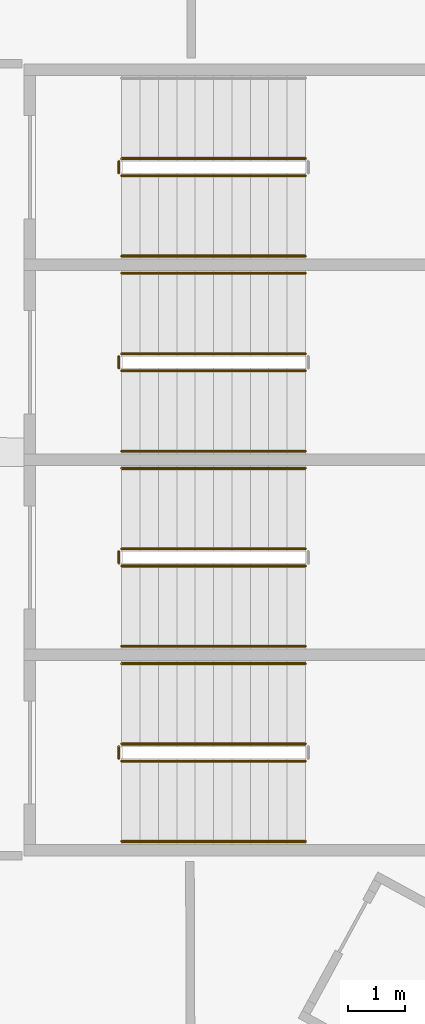
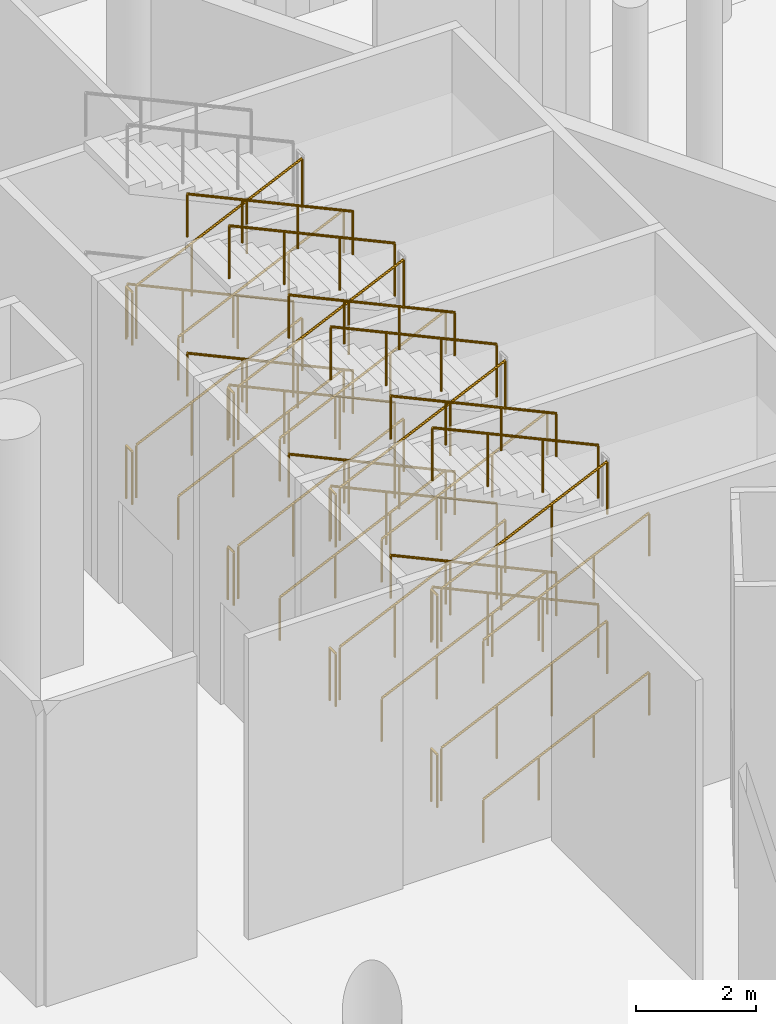
# One storey, part 220 of 255: 37 railings.
"""IFC4 building model written with IfcOpenShell, lengths in metres."""

from ifc_helpers import new_model, si_unit, direction, frame, origin, origin_2d, place, context, subcontext, project, spatial, circle, extrude, material, type_object, element, save


model = new_model("IFC4")

# Units and contexts
model_context = context("Model", 3, precision=1e-05, world=origin(), true_north=direction((0.0, 1.0)))
body_context = subcontext(model_context, "Body", "Model", "MODEL_VIEW")
ifc_project = project(units=[si_unit("LENGTHUNIT", "METRE"), si_unit("AREAUNIT", "SQUARE_METRE"), si_unit("VOLUMEUNIT", "CUBIC_METRE"), si_unit("PLANEANGLEUNIT", "RADIAN"), si_unit("MASSUNIT", "GRAM", prefix="KILO")], contexts=[model_context])

# Site, building, storey
site_placement = place(None, origin())
site = spatial("IfcSite", under=ifc_project, at=site_placement, CompositionType="ELEMENT")
building_placement = place(site_placement, origin())
building = spatial("IfcBuilding", under=site, at=building_placement, Name="Meseta Stadium", CompositionType="ELEMENT")
storey_placement = place(building_placement, origin())
storey = spatial("IfcBuildingStorey", under=building, at=storey_placement, Name="L00", CompositionType="ELEMENT", Elevation=0.0)

# Railings
ifc_material_1 = material(Name="Steel S355", Category="steel")
railing_type_1 = type_object("IfcRailingType", Name="Stair guard 1100", PredefinedType="GUARDRAIL", material=ifc_material_1)
railing_1_placement = place(storey_placement, frame((90.300048828125, -11.5, 0.147705078125)))
element("IfcRailing", 1, at=railing_1_placement, inside=storey, type_object=railing_type_1, Name="ST9 L00 guard 1", PredefinedType="GUARDRAIL", context=body_context, shape_type="SweptSolid", body=[
    extrude(circle(Radius=0.02392578125, at=origin_2d()), frame((0.0, 0.0, 1.076171875), z_axis=(0.907916804346, 0.0, 0.419150422148), x_axis=(0.0, 1.0, 0.0)), (0.0, 0.0, 1.0), 3.5244140625),
    extrude(circle(Radius=0.02099609375, at=origin_2d()), origin(), (0.0, 0.0, 1.0), 1.052001953125),
    extrude(circle(Radius=0.02099609375, at=origin_2d()), frame((1.066650390625, 0.0, 0.492431640625)), (0.0, 0.0, 1.0), 1.052001953125),
    extrude(circle(Radius=0.02099609375, at=origin_2d()), frame((2.13330078125, 0.0, 0.98486328125)), (0.0, 0.0, 1.0), 1.052001953125),
    extrude(circle(Radius=0.02099609375, at=origin_2d()), frame((3.199951171875, 0.0, 1.477294921875)), (0.0, 0.0, 1.0), 1.052001953125),
])
railing_2_placement = place(storey_placement, frame((93.5, -11.199951171875, 1.772705078125)))
element("IfcRailing", 2, at=railing_2_placement, inside=storey, type_object=railing_type_1, Name="ST9 L00 guard 3", PredefinedType="GUARDRAIL", context=body_context, shape_type="SweptSolid", body=[
    extrude(circle(Radius=0.02392578125, at=origin_2d()), frame((0.0, 0.0, 1.076171875), z_axis=(-0.907916804346, 0.0, 0.419150422148), x_axis=(0.0, -1.0, 0.0)), (0.0, 0.0, 1.0), 3.5244140625),
    extrude(circle(Radius=0.02099609375, at=origin_2d()), origin(), (0.0, 0.0, 1.0), 1.052001953125),
    extrude(circle(Radius=0.02099609375, at=origin_2d()), frame((-1.066650390625, 0.0, 0.492431640625)), (0.0, 0.0, 1.0), 1.052001953125),
    extrude(circle(Radius=0.02099609375, at=origin_2d()), frame((-2.13330078125, 0.0, 0.98486328125)), (0.0, 0.0, 1.0), 1.052001953125),
    extrude(circle(Radius=0.02099609375, at=origin_2d()), frame((-3.199951171875, 0.0, 1.477294921875)), (0.0, 0.0, 1.0), 1.052001953125),
])
railing_3_placement = place(storey_placement, frame((90.25, -11.449951171875, 3.25)))
element("IfcRailing", 3, at=railing_3_placement, inside=storey, type_object=railing_type_1, Name="ST9 L00 guard 4", PredefinedType="GUARDRAIL", context=body_context, shape_type="SweptSolid", body=[
    extrude(circle(Radius=0.02392578125, at=origin_2d()), frame((0.0, 0.0, 1.076171875), z_axis=(0.0, 1.0, 0.0), x_axis=(-1.0, 0.0, 0.0)), (0.0, 0.0, 1.0), 0.199951171875),
    extrude(circle(Radius=0.02099609375, at=origin_2d()), origin(), (0.0, 0.0, 1.0), 1.052001953125),
    extrude(circle(Radius=0.02099609375, at=origin_2d()), frame((0.0, 0.199951171875, 0.0)), (0.0, 0.0, 1.0), 1.052001953125),
])
railing_4_placement = place(storey_placement, frame((90.300048828125, -11.5, 3.397705078125)))
element("IfcRailing", 4, at=railing_4_placement, inside=storey, type_object=railing_type_1, Name="ST9 L00 guard 5", PredefinedType="GUARDRAIL", context=body_context, shape_type="SweptSolid", body=[
    extrude(circle(Radius=0.02392578125, at=origin_2d()), frame((0.0, 0.0, 1.076171875), z_axis=(0.907916804346, 0.0, 0.419150422148), x_axis=(0.0, 1.0, 0.0)), (0.0, 0.0, 1.0), 3.5244140625),
    extrude(circle(Radius=0.02099609375, at=origin_2d()), origin(), (0.0, 0.0, 1.0), 1.052001953125),
    extrude(circle(Radius=0.02099609375, at=origin_2d()), frame((1.066650390625, 0.0, 0.492431640625)), (0.0, 0.0, 1.0), 1.052001953125),
    extrude(circle(Radius=0.02099609375, at=origin_2d()), frame((2.13330078125, 0.0, 0.98486328125)), (0.0, 0.0, 1.0), 1.052001953125),
    extrude(circle(Radius=0.02099609375, at=origin_2d()), frame((3.199951171875, 0.0, 1.477294921875)), (0.0, 0.0, 1.0), 1.052001953125),
])
railing_5_placement = place(storey_placement, frame((93.5, -11.199951171875, 5.022705078125)))
element("IfcRailing", 5, at=railing_5_placement, inside=storey, type_object=railing_type_1, Name="ST9 L00 guard 7", PredefinedType="GUARDRAIL", context=body_context, shape_type="SweptSolid", body=[
    extrude(circle(Radius=0.02392578125, at=origin_2d()), frame((0.0, 0.0, 1.076171875), z_axis=(-0.907916804346, 0.0, 0.419150422148), x_axis=(0.0, -1.0, 0.0)), (0.0, 0.0, 1.0), 3.5244140625),
    extrude(circle(Radius=0.02099609375, at=origin_2d()), origin(), (0.0, 0.0, 1.0), 1.052001953125),
    extrude(circle(Radius=0.02099609375, at=origin_2d()), frame((-1.066650390625, 0.0, 0.492431640625)), (0.0, 0.0, 1.0), 1.052001953125),
    extrude(circle(Radius=0.02099609375, at=origin_2d()), frame((-2.13330078125, 0.0, 0.98486328125)), (0.0, 0.0, 1.0), 1.052001953125),
    extrude(circle(Radius=0.02099609375, at=origin_2d()), frame((-3.199951171875, 0.0, 1.477294921875)), (0.0, 0.0, 1.0), 1.052001953125),
])
railing_6_placement = place(storey_placement, frame((90.25, -11.449951171875, 0.0)))
element("IfcRailing", 6, at=railing_6_placement, inside=storey, type_object=railing_type_1, Name="ST9 L00 guard 8", PredefinedType="GUARDRAIL", context=body_context, shape_type="SweptSolid", body=[
    extrude(circle(Radius=0.02392578125, at=origin_2d()), frame((0.0, 0.0, 1.076171875), z_axis=(0.0, 1.0, 0.0), x_axis=(-1.0, 0.0, 0.0)), (0.0, 0.0, 1.0), 0.199951171875),
    extrude(circle(Radius=0.02099609375, at=origin_2d()), origin(), (0.0, 0.0, 1.0), 1.052001953125),
    extrude(circle(Radius=0.02099609375, at=origin_2d()), frame((0.0, 0.199951171875, 0.0)), (0.0, 0.0, 1.0), 1.052001953125),
])
railing_7_placement = place(storey_placement, frame((90.300048828125, -8.10009765625, 0.147705078125)))
element("IfcRailing", 7, at=railing_7_placement, inside=storey, type_object=railing_type_1, Name="ST10 L00 guard 1", PredefinedType="GUARDRAIL", context=body_context, shape_type="SweptSolid", body=[
    extrude(circle(Radius=0.02392578125, at=origin_2d()), frame((0.0, 0.0, 1.076171875), z_axis=(0.907916804346, 0.0, 0.419150422148), x_axis=(0.0, 1.0, 0.0)), (0.0, 0.0, 1.0), 3.5244140625),
    extrude(circle(Radius=0.02099609375, at=origin_2d()), origin(), (0.0, 0.0, 1.0), 1.052001953125),
    extrude(circle(Radius=0.02099609375, at=origin_2d()), frame((1.066650390625, 0.0, 0.492431640625)), (0.0, 0.0, 1.0), 1.052001953125),
    extrude(circle(Radius=0.02099609375, at=origin_2d()), frame((2.13330078125, 0.0, 0.98486328125)), (0.0, 0.0, 1.0), 1.052001953125),
    extrude(circle(Radius=0.02099609375, at=origin_2d()), frame((3.199951171875, 0.0, 1.477294921875)), (0.0, 0.0, 1.0), 1.052001953125),
])
railing_8_placement = place(storey_placement, frame((93.5, -7.800048828125, 1.772705078125)))
element("IfcRailing", 8, at=railing_8_placement, inside=storey, type_object=railing_type_1, Name="ST10 L00 guard 3", PredefinedType="GUARDRAIL", context=body_context, shape_type="SweptSolid", body=[
    extrude(circle(Radius=0.02392578125, at=origin_2d()), frame((0.0, 0.0, 1.076171875), z_axis=(-0.907916804346, 0.0, 0.419150422148), x_axis=(0.0, -1.0, 0.0)), (0.0, 0.0, 1.0), 3.5244140625),
    extrude(circle(Radius=0.02099609375, at=origin_2d()), origin(), (0.0, 0.0, 1.0), 1.052001953125),
    extrude(circle(Radius=0.02099609375, at=origin_2d()), frame((-1.066650390625, 0.0, 0.492431640625)), (0.0, 0.0, 1.0), 1.052001953125),
    extrude(circle(Radius=0.02099609375, at=origin_2d()), frame((-2.13330078125, 0.0, 0.98486328125)), (0.0, 0.0, 1.0), 1.052001953125),
    extrude(circle(Radius=0.02099609375, at=origin_2d()), frame((-3.199951171875, 0.0, 1.477294921875)), (0.0, 0.0, 1.0), 1.052001953125),
])
railing_9_placement = place(storey_placement, frame((90.25, -8.050048828125, 3.25)))
element("IfcRailing", 9, at=railing_9_placement, inside=storey, type_object=railing_type_1, Name="ST10 L00 guard 4", PredefinedType="GUARDRAIL", context=body_context, shape_type="SweptSolid", body=[
    extrude(circle(Radius=0.02392578125, at=origin_2d()), frame((0.0, 0.0, 1.076171875), z_axis=(0.0, 1.0, 0.0), x_axis=(-1.0, 0.0, 0.0)), (0.0, 0.0, 1.0), 0.199951171875),
    extrude(circle(Radius=0.02099609375, at=origin_2d()), origin(), (0.0, 0.0, 1.0), 1.052001953125),
    extrude(circle(Radius=0.02099609375, at=origin_2d()), frame((0.0, 0.199951171875, 0.0)), (0.0, 0.0, 1.0), 1.052001953125),
])
railing_10_placement = place(storey_placement, frame((90.300048828125, -8.10009765625, 3.397705078125)))
element("IfcRailing", 10, at=railing_10_placement, inside=storey, type_object=railing_type_1, Name="ST10 L00 guard 5", PredefinedType="GUARDRAIL", context=body_context, shape_type="SweptSolid", body=[
    extrude(circle(Radius=0.02392578125, at=origin_2d()), frame((0.0, 0.0, 1.076171875), z_axis=(0.907916804346, 0.0, 0.419150422148), x_axis=(0.0, 1.0, 0.0)), (0.0, 0.0, 1.0), 3.5244140625),
    extrude(circle(Radius=0.02099609375, at=origin_2d()), origin(), (0.0, 0.0, 1.0), 1.052001953125),
    extrude(circle(Radius=0.02099609375, at=origin_2d()), frame((1.066650390625, 0.0, 0.492431640625)), (0.0, 0.0, 1.0), 1.052001953125),
    extrude(circle(Radius=0.02099609375, at=origin_2d()), frame((2.13330078125, 0.0, 0.98486328125)), (0.0, 0.0, 1.0), 1.052001953125),
    extrude(circle(Radius=0.02099609375, at=origin_2d()), frame((3.199951171875, 0.0, 1.477294921875)), (0.0, 0.0, 1.0), 1.052001953125),
])
railing_11_placement = place(storey_placement, frame((93.5, -7.800048828125, 5.022705078125)))
element("IfcRailing", 11, at=railing_11_placement, inside=storey, type_object=railing_type_1, Name="ST10 L00 guard 7", PredefinedType="GUARDRAIL", context=body_context, shape_type="SweptSolid", body=[
    extrude(circle(Radius=0.02392578125, at=origin_2d()), frame((0.0, 0.0, 1.076171875), z_axis=(-0.907916804346, 0.0, 0.419150422148), x_axis=(0.0, -1.0, 0.0)), (0.0, 0.0, 1.0), 3.5244140625),
    extrude(circle(Radius=0.02099609375, at=origin_2d()), origin(), (0.0, 0.0, 1.0), 1.052001953125),
    extrude(circle(Radius=0.02099609375, at=origin_2d()), frame((-1.066650390625, 0.0, 0.492431640625)), (0.0, 0.0, 1.0), 1.052001953125),
    extrude(circle(Radius=0.02099609375, at=origin_2d()), frame((-2.13330078125, 0.0, 0.98486328125)), (0.0, 0.0, 1.0), 1.052001953125),
    extrude(circle(Radius=0.02099609375, at=origin_2d()), frame((-3.199951171875, 0.0, 1.477294921875)), (0.0, 0.0, 1.0), 1.052001953125),
])
railing_12_placement = place(storey_placement, frame((90.25, -8.050048828125, 0.0)))
element("IfcRailing", 12, at=railing_12_placement, inside=storey, type_object=railing_type_1, Name="ST10 L00 guard 8", PredefinedType="GUARDRAIL", context=body_context, shape_type="SweptSolid", body=[
    extrude(circle(Radius=0.02392578125, at=origin_2d()), frame((0.0, 0.0, 1.076171875), z_axis=(0.0, 1.0, 0.0), x_axis=(-1.0, 0.0, 0.0)), (0.0, 0.0, 1.0), 0.199951171875),
    extrude(circle(Radius=0.02099609375, at=origin_2d()), origin(), (0.0, 0.0, 1.0), 1.052001953125),
    extrude(circle(Radius=0.02099609375, at=origin_2d()), frame((0.0, 0.199951171875, 0.0)), (0.0, 0.0, 1.0), 1.052001953125),
])
railing_13_placement = place(storey_placement, frame((90.300048828125, -4.699951171875, 0.147705078125)))
element("IfcRailing", 13, at=railing_13_placement, inside=storey, type_object=railing_type_1, Name="ST11 L00 guard 1", PredefinedType="GUARDRAIL", context=body_context, shape_type="SweptSolid", body=[
    extrude(circle(Radius=0.02392578125, at=origin_2d()), frame((0.0, 0.0, 1.076171875), z_axis=(0.907916804346, 0.0, 0.419150422148), x_axis=(0.0, 1.0, 0.0)), (0.0, 0.0, 1.0), 3.5244140625),
    extrude(circle(Radius=0.02099609375, at=origin_2d()), origin(), (0.0, 0.0, 1.0), 1.052001953125),
    extrude(circle(Radius=0.02099609375, at=origin_2d()), frame((1.066650390625, 0.0, 0.492431640625)), (0.0, 0.0, 1.0), 1.052001953125),
    extrude(circle(Radius=0.02099609375, at=origin_2d()), frame((2.13330078125, 0.0, 0.98486328125)), (0.0, 0.0, 1.0), 1.052001953125),
    extrude(circle(Radius=0.02099609375, at=origin_2d()), frame((3.199951171875, 0.0, 1.477294921875)), (0.0, 0.0, 1.0), 1.052001953125),
])
railing_14_placement = place(storey_placement, frame((93.5, -4.39990234375, 1.772705078125)))
element("IfcRailing", 14, at=railing_14_placement, inside=storey, type_object=railing_type_1, Name="ST11 L00 guard 3", PredefinedType="GUARDRAIL", context=body_context, shape_type="SweptSolid", body=[
    extrude(circle(Radius=0.02392578125, at=origin_2d()), frame((0.0, 0.0, 1.076171875), z_axis=(-0.907916804346, 0.0, 0.419150422148), x_axis=(0.0, -1.0, 0.0)), (0.0, 0.0, 1.0), 3.5244140625),
    extrude(circle(Radius=0.02099609375, at=origin_2d()), origin(), (0.0, 0.0, 1.0), 1.052001953125),
    extrude(circle(Radius=0.02099609375, at=origin_2d()), frame((-1.066650390625, 0.0, 0.492431640625)), (0.0, 0.0, 1.0), 1.052001953125),
    extrude(circle(Radius=0.02099609375, at=origin_2d()), frame((-2.13330078125, 0.0, 0.98486328125)), (0.0, 0.0, 1.0), 1.052001953125),
    extrude(circle(Radius=0.02099609375, at=origin_2d()), frame((-3.199951171875, 0.0, 1.477294921875)), (0.0, 0.0, 1.0), 1.052001953125),
])
railing_15_placement = place(storey_placement, frame((90.25, -4.64990234375, 3.25)))
element("IfcRailing", 15, at=railing_15_placement, inside=storey, type_object=railing_type_1, Name="ST11 L00 guard 4", PredefinedType="GUARDRAIL", context=body_context, shape_type="SweptSolid", body=[
    extrude(circle(Radius=0.02392578125, at=origin_2d()), frame((0.0, 0.0, 1.076171875), z_axis=(0.0, 1.0, 0.0), x_axis=(-1.0, 0.0, 0.0)), (0.0, 0.0, 1.0), 0.199951171875),
    extrude(circle(Radius=0.02099609375, at=origin_2d()), origin(), (0.0, 0.0, 1.0), 1.052001953125),
    extrude(circle(Radius=0.02099609375, at=origin_2d()), frame((0.0, 0.199951171875, 0.0)), (0.0, 0.0, 1.0), 1.052001953125),
])
railing_16_placement = place(storey_placement, frame((90.300048828125, -4.699951171875, 3.397705078125)))
element("IfcRailing", 16, at=railing_16_placement, inside=storey, type_object=railing_type_1, Name="ST11 L00 guard 5", PredefinedType="GUARDRAIL", context=body_context, shape_type="SweptSolid", body=[
    extrude(circle(Radius=0.02392578125, at=origin_2d()), frame((0.0, 0.0, 1.076171875), z_axis=(0.907916804346, 0.0, 0.419150422148), x_axis=(0.0, 1.0, 0.0)), (0.0, 0.0, 1.0), 3.5244140625),
    extrude(circle(Radius=0.02099609375, at=origin_2d()), origin(), (0.0, 0.0, 1.0), 1.052001953125),
    extrude(circle(Radius=0.02099609375, at=origin_2d()), frame((1.066650390625, 0.0, 0.492431640625)), (0.0, 0.0, 1.0), 1.052001953125),
    extrude(circle(Radius=0.02099609375, at=origin_2d()), frame((2.13330078125, 0.0, 0.98486328125)), (0.0, 0.0, 1.0), 1.052001953125),
    extrude(circle(Radius=0.02099609375, at=origin_2d()), frame((3.199951171875, 0.0, 1.477294921875)), (0.0, 0.0, 1.0), 1.052001953125),
])
railing_17_placement = place(storey_placement, frame((93.5, -4.39990234375, 5.022705078125)))
element("IfcRailing", 17, at=railing_17_placement, inside=storey, type_object=railing_type_1, Name="ST11 L00 guard 7", PredefinedType="GUARDRAIL", context=body_context, shape_type="SweptSolid", body=[
    extrude(circle(Radius=0.02392578125, at=origin_2d()), frame((0.0, 0.0, 1.076171875), z_axis=(-0.907916804346, 0.0, 0.419150422148), x_axis=(0.0, -1.0, 0.0)), (0.0, 0.0, 1.0), 3.5244140625),
    extrude(circle(Radius=0.02099609375, at=origin_2d()), origin(), (0.0, 0.0, 1.0), 1.052001953125),
    extrude(circle(Radius=0.02099609375, at=origin_2d()), frame((-1.066650390625, 0.0, 0.492431640625)), (0.0, 0.0, 1.0), 1.052001953125),
    extrude(circle(Radius=0.02099609375, at=origin_2d()), frame((-2.13330078125, 0.0, 0.98486328125)), (0.0, 0.0, 1.0), 1.052001953125),
    extrude(circle(Radius=0.02099609375, at=origin_2d()), frame((-3.199951171875, 0.0, 1.477294921875)), (0.0, 0.0, 1.0), 1.052001953125),
])
railing_18_placement = place(storey_placement, frame((90.25, -4.64990234375, 0.0)))
element("IfcRailing", 18, at=railing_18_placement, inside=storey, type_object=railing_type_1, Name="ST11 L00 guard 8", PredefinedType="GUARDRAIL", context=body_context, shape_type="SweptSolid", body=[
    extrude(circle(Radius=0.02392578125, at=origin_2d()), frame((0.0, 0.0, 1.076171875), z_axis=(0.0, 1.0, 0.0), x_axis=(-1.0, 0.0, 0.0)), (0.0, 0.0, 1.0), 0.199951171875),
    extrude(circle(Radius=0.02099609375, at=origin_2d()), origin(), (0.0, 0.0, 1.0), 1.052001953125),
    extrude(circle(Radius=0.02099609375, at=origin_2d()), frame((0.0, 0.199951171875, 0.0)), (0.0, 0.0, 1.0), 1.052001953125),
])
railing_19_placement = place(storey_placement, frame((90.300048828125, -1.300048828125, 0.147705078125)))
element("IfcRailing", 19, at=railing_19_placement, inside=storey, type_object=railing_type_1, Name="ST12 L00 guard 1", PredefinedType="GUARDRAIL", context=body_context, shape_type="SweptSolid", body=[
    extrude(circle(Radius=0.02392578125, at=origin_2d()), frame((0.0, 0.0, 1.076171875), z_axis=(0.907916804346, 0.0, 0.419150422148), x_axis=(0.0, 1.0, 0.0)), (0.0, 0.0, 1.0), 3.5244140625),
    extrude(circle(Radius=0.02099609375, at=origin_2d()), origin(), (0.0, 0.0, 1.0), 1.052001953125),
    extrude(circle(Radius=0.02099609375, at=origin_2d()), frame((1.066650390625, 0.0, 0.492431640625)), (0.0, 0.0, 1.0), 1.052001953125),
    extrude(circle(Radius=0.02099609375, at=origin_2d()), frame((2.13330078125, 0.0, 0.98486328125)), (0.0, 0.0, 1.0), 1.052001953125),
    extrude(circle(Radius=0.02099609375, at=origin_2d()), frame((3.199951171875, 0.0, 1.477294921875)), (0.0, 0.0, 1.0), 1.052001953125),
])
railing_20_placement = place(storey_placement, frame((93.5, -1.0, 1.772705078125)))
element("IfcRailing", 20, at=railing_20_placement, inside=storey, type_object=railing_type_1, Name="ST12 L00 guard 3", PredefinedType="GUARDRAIL", context=body_context, shape_type="SweptSolid", body=[
    extrude(circle(Radius=0.02392578125, at=origin_2d()), frame((0.0, 0.0, 1.076171875), z_axis=(-0.907916804346, 0.0, 0.419150422148), x_axis=(0.0, -1.0, 0.0)), (0.0, 0.0, 1.0), 3.5244140625),
    extrude(circle(Radius=0.02099609375, at=origin_2d()), origin(), (0.0, 0.0, 1.0), 1.052001953125),
    extrude(circle(Radius=0.02099609375, at=origin_2d()), frame((-1.066650390625, 0.0, 0.492431640625)), (0.0, 0.0, 1.0), 1.052001953125),
    extrude(circle(Radius=0.02099609375, at=origin_2d()), frame((-2.13330078125, 0.0, 0.98486328125)), (0.0, 0.0, 1.0), 1.052001953125),
    extrude(circle(Radius=0.02099609375, at=origin_2d()), frame((-3.199951171875, 0.0, 1.477294921875)), (0.0, 0.0, 1.0), 1.052001953125),
])
railing_21_placement = place(storey_placement, frame((90.25, -1.25, 3.25)))
element("IfcRailing", 21, at=railing_21_placement, inside=storey, type_object=railing_type_1, Name="ST12 L00 guard 4", PredefinedType="GUARDRAIL", context=body_context, shape_type="SweptSolid", body=[
    extrude(circle(Radius=0.02392578125, at=origin_2d()), frame((0.0, 0.0, 1.076171875), z_axis=(0.0, 1.0, 0.0), x_axis=(-1.0, 0.0, 0.0)), (0.0, 0.0, 1.0), 0.199951171875),
    extrude(circle(Radius=0.02099609375, at=origin_2d()), origin(), (0.0, 0.0, 1.0), 1.052001953125),
    extrude(circle(Radius=0.02099609375, at=origin_2d()), frame((0.0, 0.199951171875, 0.0)), (0.0, 0.0, 1.0), 1.052001953125),
])
railing_22_placement = place(storey_placement, frame((90.300048828125, -1.300048828125, 3.397705078125)))
element("IfcRailing", 22, at=railing_22_placement, inside=storey, type_object=railing_type_1, Name="ST12 L00 guard 5", PredefinedType="GUARDRAIL", context=body_context, shape_type="SweptSolid", body=[
    extrude(circle(Radius=0.02392578125, at=origin_2d()), frame((0.0, 0.0, 1.076171875), z_axis=(0.907916804346, 0.0, 0.419150422148), x_axis=(0.0, 1.0, 0.0)), (0.0, 0.0, 1.0), 3.5244140625),
    extrude(circle(Radius=0.02099609375, at=origin_2d()), origin(), (0.0, 0.0, 1.0), 1.052001953125),
    extrude(circle(Radius=0.02099609375, at=origin_2d()), frame((1.066650390625, 0.0, 0.492431640625)), (0.0, 0.0, 1.0), 1.052001953125),
    extrude(circle(Radius=0.02099609375, at=origin_2d()), frame((2.13330078125, 0.0, 0.98486328125)), (0.0, 0.0, 1.0), 1.052001953125),
    extrude(circle(Radius=0.02099609375, at=origin_2d()), frame((3.199951171875, 0.0, 1.477294921875)), (0.0, 0.0, 1.0), 1.052001953125),
])
railing_23_placement = place(storey_placement, frame((90.25, -1.25, 0.0)))
element("IfcRailing", 23, at=railing_23_placement, inside=storey, type_object=railing_type_1, Name="ST12 L00 guard 8", PredefinedType="GUARDRAIL", context=body_context, shape_type="SweptSolid", body=[
    extrude(circle(Radius=0.02392578125, at=origin_2d()), frame((0.0, 0.0, 1.076171875), z_axis=(0.0, 1.0, 0.0), x_axis=(-1.0, 0.0, 0.0)), (0.0, 0.0, 1.0), 0.199951171875),
    extrude(circle(Radius=0.02099609375, at=origin_2d()), origin(), (0.0, 0.0, 1.0), 1.052001953125),
    extrude(circle(Radius=0.02099609375, at=origin_2d()), frame((0.0, 0.199951171875, 0.0)), (0.0, 0.0, 1.0), 1.052001953125),
])
ifc_material_2 = material(Name="Steel S355", Category="steel")
railing_type_2 = type_object("IfcRailingType", Name="Stair handrail 900", PredefinedType="HANDRAIL", material=ifc_material_2)
railing_24_placement = place(storey_placement, frame((90.300048828125, -12.89990234375, 0.147705078125)))
element("IfcRailing", 24, at=railing_24_placement, inside=storey, type_object=railing_type_2, Name="ST9 L00 handrail 1", PredefinedType="HANDRAIL", context=body_context, shape_type="SweptSolid", body=[
    extrude(circle(Radius=0.02392578125, at=origin_2d()), frame((0.0, 0.0, 0.8759765625), z_axis=(0.907916804346, 0.0, 0.419150422148), x_axis=(0.0, 1.0, 0.0)), (0.0, 0.0, 1.0), 3.5244140625),
    extrude(circle(Radius=0.02099609375, at=origin_2d()), origin(), (0.0, 0.0, 1.0), 0.851806640625),
    extrude(circle(Radius=0.02099609375, at=origin_2d()), frame((1.066650390625, 0.0, 0.492431640625)), (0.0, 0.0, 1.0), 0.851806640625),
    extrude(circle(Radius=0.02099609375, at=origin_2d()), frame((2.13330078125, 0.0, 0.98486328125)), (0.0, 0.0, 1.0), 0.851806640625),
    extrude(circle(Radius=0.02099609375, at=origin_2d()), frame((3.199951171875, 0.0, 1.477294921875)), (0.0, 0.0, 1.0), 0.851806640625),
])
railing_25_placement = place(storey_placement, frame((93.5, -9.800048828125, 1.772705078125)))
element("IfcRailing", 25, at=railing_25_placement, inside=storey, type_object=railing_type_2, Name="ST9 L00 handrail 2", PredefinedType="HANDRAIL", context=body_context, shape_type="SweptSolid", body=[
    extrude(circle(Radius=0.02392578125, at=origin_2d()), frame((0.0, 0.0, 0.8759765625), z_axis=(-0.907916804346, 0.0, 0.419150422148), x_axis=(0.0, -1.0, 0.0)), (0.0, 0.0, 1.0), 3.5244140625),
    extrude(circle(Radius=0.02099609375, at=origin_2d()), origin(), (0.0, 0.0, 1.0), 0.851806640625),
    extrude(circle(Radius=0.02099609375, at=origin_2d()), frame((-1.066650390625, 0.0, 0.492431640625)), (0.0, 0.0, 1.0), 0.851806640625),
    extrude(circle(Radius=0.02099609375, at=origin_2d()), frame((-2.13330078125, 0.0, 0.98486328125)), (0.0, 0.0, 1.0), 0.851806640625),
    extrude(circle(Radius=0.02099609375, at=origin_2d()), frame((-3.199951171875, 0.0, 1.477294921875)), (0.0, 0.0, 1.0), 0.851806640625),
])
railing_26_placement = place(storey_placement, frame((90.300048828125, -12.89990234375, 3.397705078125)))
element("IfcRailing", 26, at=railing_26_placement, inside=storey, type_object=railing_type_2, Name="ST9 L00 handrail 3", PredefinedType="HANDRAIL", context=body_context, shape_type="SweptSolid", body=[
    extrude(circle(Radius=0.02392578125, at=origin_2d()), frame((0.0, 0.0, 0.8759765625), z_axis=(0.907916804346, 0.0, 0.419150422148), x_axis=(0.0, 1.0, 0.0)), (0.0, 0.0, 1.0), 3.5244140625),
    extrude(circle(Radius=0.02099609375, at=origin_2d()), origin(), (0.0, 0.0, 1.0), 0.851806640625),
    extrude(circle(Radius=0.02099609375, at=origin_2d()), frame((1.066650390625, 0.0, 0.492431640625)), (0.0, 0.0, 1.0), 0.851806640625),
    extrude(circle(Radius=0.02099609375, at=origin_2d()), frame((2.13330078125, 0.0, 0.98486328125)), (0.0, 0.0, 1.0), 0.851806640625),
    extrude(circle(Radius=0.02099609375, at=origin_2d()), frame((3.199951171875, 0.0, 1.477294921875)), (0.0, 0.0, 1.0), 0.851806640625),
])
railing_27_placement = place(storey_placement, frame((93.5, -9.800048828125, 5.022705078125)))
element("IfcRailing", 27, at=railing_27_placement, inside=storey, type_object=railing_type_2, Name="ST9 L00 handrail 4", PredefinedType="HANDRAIL", context=body_context, shape_type="SweptSolid", body=[
    extrude(circle(Radius=0.02392578125, at=origin_2d()), frame((0.0, 0.0, 0.8759765625), z_axis=(-0.907916804346, 0.0, 0.419150422148), x_axis=(0.0, -1.0, 0.0)), (0.0, 0.0, 1.0), 3.5244140625),
    extrude(circle(Radius=0.02099609375, at=origin_2d()), origin(), (0.0, 0.0, 1.0), 0.851806640625),
    extrude(circle(Radius=0.02099609375, at=origin_2d()), frame((-1.066650390625, 0.0, 0.492431640625)), (0.0, 0.0, 1.0), 0.851806640625),
    extrude(circle(Radius=0.02099609375, at=origin_2d()), frame((-2.13330078125, 0.0, 0.98486328125)), (0.0, 0.0, 1.0), 0.851806640625),
    extrude(circle(Radius=0.02099609375, at=origin_2d()), frame((-3.199951171875, 0.0, 1.477294921875)), (0.0, 0.0, 1.0), 0.851806640625),
])
railing_28_placement = place(storey_placement, frame((90.300048828125, -9.5, 0.147705078125)))
element("IfcRailing", 28, at=railing_28_placement, inside=storey, type_object=railing_type_2, Name="ST10 L00 handrail 1", PredefinedType="HANDRAIL", context=body_context, shape_type="SweptSolid", body=[
    extrude(circle(Radius=0.02392578125, at=origin_2d()), frame((0.0, 0.0, 0.8759765625), z_axis=(0.907916804346, 0.0, 0.419150422148), x_axis=(0.0, 1.0, 0.0)), (0.0, 0.0, 1.0), 3.5244140625),
    extrude(circle(Radius=0.02099609375, at=origin_2d()), origin(), (0.0, 0.0, 1.0), 0.851806640625),
    extrude(circle(Radius=0.02099609375, at=origin_2d()), frame((1.066650390625, 0.0, 0.492431640625)), (0.0, 0.0, 1.0), 0.851806640625),
    extrude(circle(Radius=0.02099609375, at=origin_2d()), frame((2.13330078125, 0.0, 0.98486328125)), (0.0, 0.0, 1.0), 0.851806640625),
    extrude(circle(Radius=0.02099609375, at=origin_2d()), frame((3.199951171875, 0.0, 1.477294921875)), (0.0, 0.0, 1.0), 0.851806640625),
])
railing_29_placement = place(storey_placement, frame((93.5, -6.39990234375, 1.772705078125)))
element("IfcRailing", 29, at=railing_29_placement, inside=storey, type_object=railing_type_2, Name="ST10 L00 handrail 2", PredefinedType="HANDRAIL", context=body_context, shape_type="SweptSolid", body=[
    extrude(circle(Radius=0.02392578125, at=origin_2d()), frame((0.0, 0.0, 0.8759765625), z_axis=(-0.907916804346, 0.0, 0.419150422148), x_axis=(0.0, -1.0, 0.0)), (0.0, 0.0, 1.0), 3.5244140625),
    extrude(circle(Radius=0.02099609375, at=origin_2d()), origin(), (0.0, 0.0, 1.0), 0.851806640625),
    extrude(circle(Radius=0.02099609375, at=origin_2d()), frame((-1.066650390625, 0.0, 0.492431640625)), (0.0, 0.0, 1.0), 0.851806640625),
    extrude(circle(Radius=0.02099609375, at=origin_2d()), frame((-2.13330078125, 0.0, 0.98486328125)), (0.0, 0.0, 1.0), 0.851806640625),
    extrude(circle(Radius=0.02099609375, at=origin_2d()), frame((-3.199951171875, 0.0, 1.477294921875)), (0.0, 0.0, 1.0), 0.851806640625),
])
railing_30_placement = place(storey_placement, frame((90.300048828125, -9.5, 3.397705078125)))
element("IfcRailing", 30, at=railing_30_placement, inside=storey, type_object=railing_type_2, Name="ST10 L00 handrail 3", PredefinedType="HANDRAIL", context=body_context, shape_type="SweptSolid", body=[
    extrude(circle(Radius=0.02392578125, at=origin_2d()), frame((0.0, 0.0, 0.8759765625), z_axis=(0.907916804346, 0.0, 0.419150422148), x_axis=(0.0, 1.0, 0.0)), (0.0, 0.0, 1.0), 3.5244140625),
    extrude(circle(Radius=0.02099609375, at=origin_2d()), origin(), (0.0, 0.0, 1.0), 0.851806640625),
    extrude(circle(Radius=0.02099609375, at=origin_2d()), frame((1.066650390625, 0.0, 0.492431640625)), (0.0, 0.0, 1.0), 0.851806640625),
    extrude(circle(Radius=0.02099609375, at=origin_2d()), frame((2.13330078125, 0.0, 0.98486328125)), (0.0, 0.0, 1.0), 0.851806640625),
    extrude(circle(Radius=0.02099609375, at=origin_2d()), frame((3.199951171875, 0.0, 1.477294921875)), (0.0, 0.0, 1.0), 0.851806640625),
])
railing_31_placement = place(storey_placement, frame((93.5, -6.39990234375, 5.022705078125)))
element("IfcRailing", 31, at=railing_31_placement, inside=storey, type_object=railing_type_2, Name="ST10 L00 handrail 4", PredefinedType="HANDRAIL", context=body_context, shape_type="SweptSolid", body=[
    extrude(circle(Radius=0.02392578125, at=origin_2d()), frame((0.0, 0.0, 0.8759765625), z_axis=(-0.907916804346, 0.0, 0.419150422148), x_axis=(0.0, -1.0, 0.0)), (0.0, 0.0, 1.0), 3.5244140625),
    extrude(circle(Radius=0.02099609375, at=origin_2d()), origin(), (0.0, 0.0, 1.0), 0.851806640625),
    extrude(circle(Radius=0.02099609375, at=origin_2d()), frame((-1.066650390625, 0.0, 0.492431640625)), (0.0, 0.0, 1.0), 0.851806640625),
    extrude(circle(Radius=0.02099609375, at=origin_2d()), frame((-2.13330078125, 0.0, 0.98486328125)), (0.0, 0.0, 1.0), 0.851806640625),
    extrude(circle(Radius=0.02099609375, at=origin_2d()), frame((-3.199951171875, 0.0, 1.477294921875)), (0.0, 0.0, 1.0), 0.851806640625),
])
railing_32_placement = place(storey_placement, frame((90.300048828125, -6.10009765625, 0.147705078125)))
element("IfcRailing", 32, at=railing_32_placement, inside=storey, type_object=railing_type_2, Name="ST11 L00 handrail 1", PredefinedType="HANDRAIL", context=body_context, shape_type="SweptSolid", body=[
    extrude(circle(Radius=0.02392578125, at=origin_2d()), frame((0.0, 0.0, 0.8759765625), z_axis=(0.907916804346, 0.0, 0.419150422148), x_axis=(0.0, 1.0, 0.0)), (0.0, 0.0, 1.0), 3.5244140625),
    extrude(circle(Radius=0.02099609375, at=origin_2d()), origin(), (0.0, 0.0, 1.0), 0.851806640625),
    extrude(circle(Radius=0.02099609375, at=origin_2d()), frame((1.066650390625, 0.0, 0.492431640625)), (0.0, 0.0, 1.0), 0.851806640625),
    extrude(circle(Radius=0.02099609375, at=origin_2d()), frame((2.13330078125, 0.0, 0.98486328125)), (0.0, 0.0, 1.0), 0.851806640625),
    extrude(circle(Radius=0.02099609375, at=origin_2d()), frame((3.199951171875, 0.0, 1.477294921875)), (0.0, 0.0, 1.0), 0.851806640625),
])
railing_33_placement = place(storey_placement, frame((93.5, -3.0, 1.772705078125)))
element("IfcRailing", 33, at=railing_33_placement, inside=storey, type_object=railing_type_2, Name="ST11 L00 handrail 2", PredefinedType="HANDRAIL", context=body_context, shape_type="SweptSolid", body=[
    extrude(circle(Radius=0.02392578125, at=origin_2d()), frame((0.0, 0.0, 0.8759765625), z_axis=(-0.907916804346, 0.0, 0.419150422148), x_axis=(0.0, -1.0, 0.0)), (0.0, 0.0, 1.0), 3.5244140625),
    extrude(circle(Radius=0.02099609375, at=origin_2d()), origin(), (0.0, 0.0, 1.0), 0.851806640625),
    extrude(circle(Radius=0.02099609375, at=origin_2d()), frame((-1.066650390625, 0.0, 0.492431640625)), (0.0, 0.0, 1.0), 0.851806640625),
    extrude(circle(Radius=0.02099609375, at=origin_2d()), frame((-2.13330078125, 0.0, 0.98486328125)), (0.0, 0.0, 1.0), 0.851806640625),
    extrude(circle(Radius=0.02099609375, at=origin_2d()), frame((-3.199951171875, 0.0, 1.477294921875)), (0.0, 0.0, 1.0), 0.851806640625),
])
railing_34_placement = place(storey_placement, frame((90.300048828125, -6.10009765625, 3.397705078125)))
element("IfcRailing", 34, at=railing_34_placement, inside=storey, type_object=railing_type_2, Name="ST11 L00 handrail 3", PredefinedType="HANDRAIL", context=body_context, shape_type="SweptSolid", body=[
    extrude(circle(Radius=0.02392578125, at=origin_2d()), frame((0.0, 0.0, 0.8759765625), z_axis=(0.907916804346, 0.0, 0.419150422148), x_axis=(0.0, 1.0, 0.0)), (0.0, 0.0, 1.0), 3.5244140625),
    extrude(circle(Radius=0.02099609375, at=origin_2d()), origin(), (0.0, 0.0, 1.0), 0.851806640625),
    extrude(circle(Radius=0.02099609375, at=origin_2d()), frame((1.066650390625, 0.0, 0.492431640625)), (0.0, 0.0, 1.0), 0.851806640625),
    extrude(circle(Radius=0.02099609375, at=origin_2d()), frame((2.13330078125, 0.0, 0.98486328125)), (0.0, 0.0, 1.0), 0.851806640625),
    extrude(circle(Radius=0.02099609375, at=origin_2d()), frame((3.199951171875, 0.0, 1.477294921875)), (0.0, 0.0, 1.0), 0.851806640625),
])
railing_35_placement = place(storey_placement, frame((93.5, -3.0, 5.022705078125)))
element("IfcRailing", 35, at=railing_35_placement, inside=storey, type_object=railing_type_2, Name="ST11 L00 handrail 4", PredefinedType="HANDRAIL", context=body_context, shape_type="SweptSolid", body=[
    extrude(circle(Radius=0.02392578125, at=origin_2d()), frame((0.0, 0.0, 0.8759765625), z_axis=(-0.907916804346, 0.0, 0.419150422148), x_axis=(0.0, -1.0, 0.0)), (0.0, 0.0, 1.0), 3.5244140625),
    extrude(circle(Radius=0.02099609375, at=origin_2d()), origin(), (0.0, 0.0, 1.0), 0.851806640625),
    extrude(circle(Radius=0.02099609375, at=origin_2d()), frame((-1.066650390625, 0.0, 0.492431640625)), (0.0, 0.0, 1.0), 0.851806640625),
    extrude(circle(Radius=0.02099609375, at=origin_2d()), frame((-2.13330078125, 0.0, 0.98486328125)), (0.0, 0.0, 1.0), 0.851806640625),
    extrude(circle(Radius=0.02099609375, at=origin_2d()), frame((-3.199951171875, 0.0, 1.477294921875)), (0.0, 0.0, 1.0), 0.851806640625),
])
for number, where, name in (
    (36, (90.300048828125, -2.699951171875, 0.147705078125), "ST12 L00 handrail 1"),
    (37, (90.300048828125, -2.699951171875, 3.397705078125), "ST12 L00 handrail 3"),
):
    element("IfcRailing", number, at=place(storey_placement, frame(where)), inside=storey, type_object=railing_type_2, Name=name, PredefinedType="HANDRAIL", context=body_context, shape_type="SweptSolid", body=[
        extrude(circle(Radius=0.02392578125, at=origin_2d()), frame((0.0, 0.0, 0.8759765625), z_axis=(0.907916804346, 0.0, 0.419150422148), x_axis=(0.0, 1.0, 0.0)), (0.0, 0.0, 1.0), 3.5244140625),
        extrude(circle(Radius=0.02099609375, at=origin_2d()), origin(), (0.0, 0.0, 1.0), 0.851806640625),
        extrude(circle(Radius=0.02099609375, at=origin_2d()), frame((1.066650390625, 0.0, 0.492431640625)), (0.0, 0.0, 1.0), 0.851806640625),
        extrude(circle(Radius=0.02099609375, at=origin_2d()), frame((2.13330078125, 0.0, 0.98486328125)), (0.0, 0.0, 1.0), 0.851806640625),
        extrude(circle(Radius=0.02099609375, at=origin_2d()), frame((3.199951171875, 0.0, 1.477294921875)), (0.0, 0.0, 1.0), 0.851806640625),
    ])

save(model, "model.ifc")
